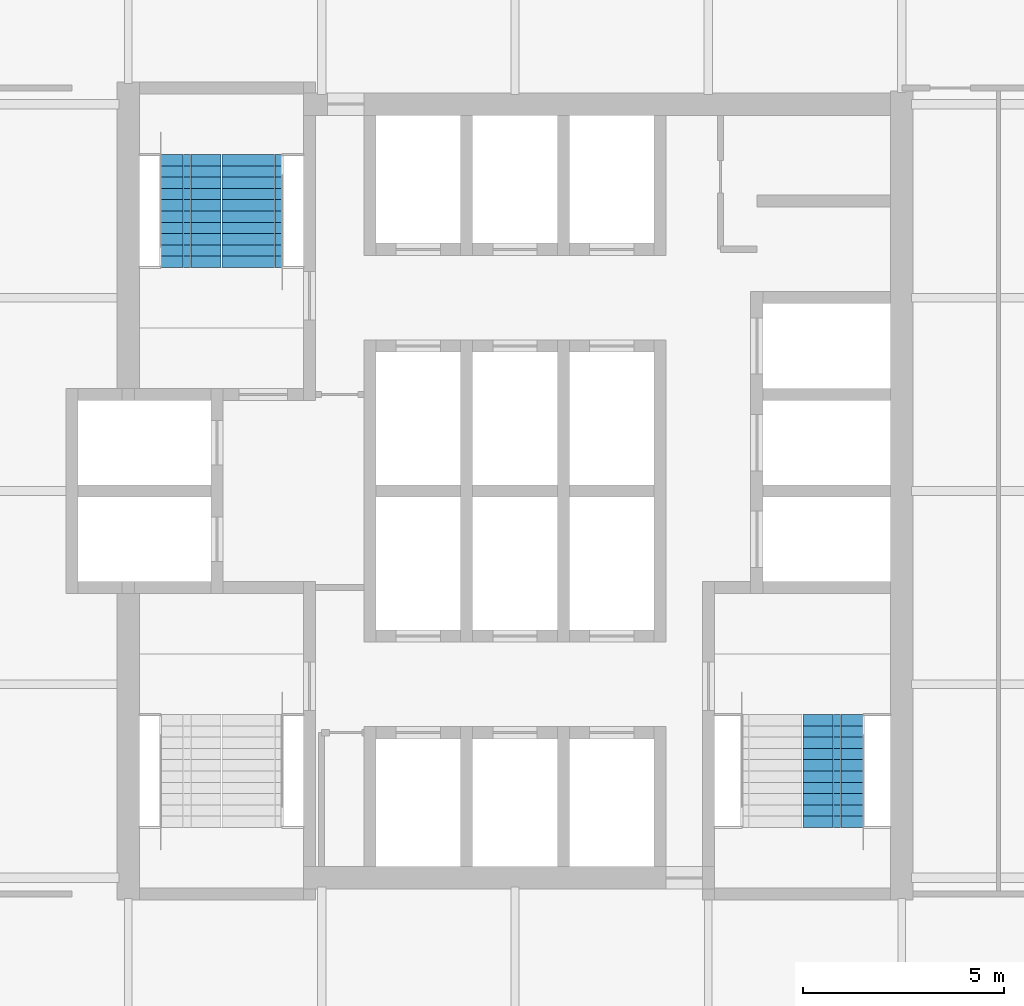
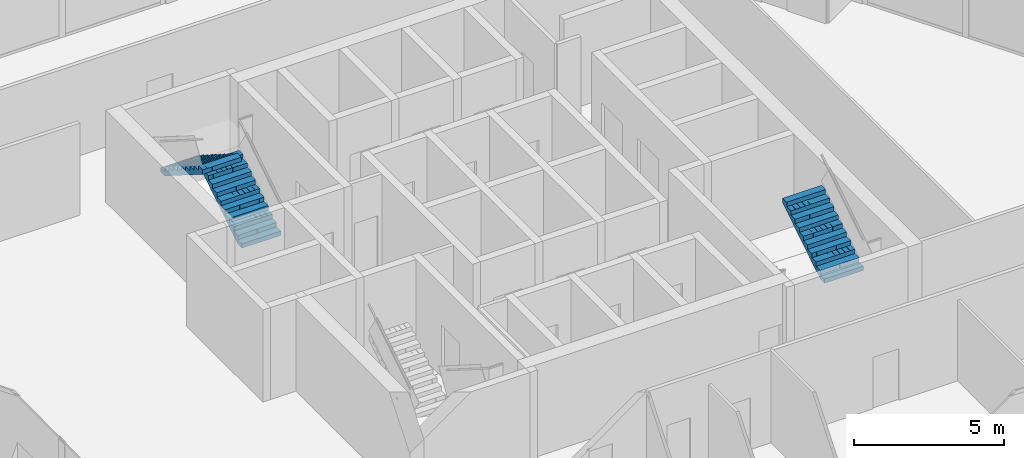
# One storey, part 11 of 13: 3 stair flights, 2 elements without a shape of their own.
"""IFC4 building model written with IfcOpenShell, lengths in metres."""

import ifcopenshell
import ifcopenshell.guid

model = None  # the IFC model being written
_history = None  # IfcOwnerHistory: only IFC2X3 demands one
_inside = {}  # id of a spatial element -> (the spatial element, [elements in it])
_under = {}  # id of a project, library or spatial element -> (it, [spatial elements below it])
_declared = {}  # id of a project -> (the project, [libraries it declares])
_typed = {}  # id of a type object -> (the type object, [elements of that type])
_made_of = {}  # id of a material, layer set ... -> (it, [elements and type objects made of it])


def new_model(schema):
    """Start an empty IFC model of exactly this schema.

    Asked for "IFC4X3", IfcOpenShell would pick the latest addendum, in which some entities
    have other attributes; the version numbers below select the first issue.
    IFC2X3 requires an IfcOwnerHistory on every rooted entity: one is made here for all.
    """
    global model, _history
    if schema == "IFC4X3":
        model = ifcopenshell.file(schema_version=(4, 3, 0, 0))
    else:
        model = ifcopenshell.file(schema=schema)
    _inside.clear()
    _under.clear()
    _declared.clear()
    _typed.clear()
    _made_of.clear()
    _history = None
    if model.schema == "IFC2X3":
        org = make("IfcOrganization", Name="unknown")
        user = make(
            "IfcPersonAndOrganization",
            ThePerson=make("IfcPerson", FamilyName="unknown"),
            TheOrganization=org,
        )
        app = make(
            "IfcApplication",
            ApplicationDeveloper=org,
            Version="unknown",
            ApplicationFullName="unknown",
            ApplicationIdentifier="unknown",
        )
        _history = make(
            "IfcOwnerHistory",
            OwningUser=user,
            OwningApplication=app,
            ChangeAction="ADDED",
            CreationDate=0,
        )
    return model


def make(cls, **values):
    """One entity of the class cls with the attributes given. An attribute that is None is left unset."""
    return model.create_entity(
        cls, **{name: value for name, value in values.items() if value is not None}
    )


def rooted(cls, **values):
    """An entity with a GlobalId (a new one), such as an element, a storey or a relation."""
    return make(cls, GlobalId=ifcopenshell.guid.new(), OwnerHistory=_history, **values)


def si_unit(unit_type, name, prefix=None):
    """IfcSIUnit, for example si_unit("LENGTHUNIT", "METRE", prefix="MILLI")."""
    return make("IfcSIUnit", UnitType=unit_type, Prefix=prefix, Name=name)


def assignment(units):
    """IfcUnitAssignment: the units of a project."""
    return None if units is None else make("IfcUnitAssignment", Units=units)


def point(xyz):
    """IfcCartesianPoint."""
    return None if xyz is None else make("IfcCartesianPoint", Coordinates=xyz)


def direction(xyz):
    """IfcDirection."""
    return None if xyz is None else make("IfcDirection", DirectionRatios=xyz)


def frame(location, z_axis=None, x_axis=None):
    """IfcAxis2Placement3D, a coordinate frame: its origin and axes. An axis left out is left unset."""
    return make(
        "IfcAxis2Placement3D",
        Location=point(location),
        Axis=direction(z_axis),
        RefDirection=direction(x_axis),
    )


def origin():
    """The frame at (0, 0, 0) with its axes left unset."""
    return frame((0.0, 0.0, 0.0))


def place(relative_to, where):
    """IfcLocalPlacement: puts the frame where relative to a parent placement (None: the world)."""
    return make(
        "IfcLocalPlacement", PlacementRelTo=relative_to, RelativePlacement=where
    )


def context(
    kind, dimensions, precision=None, world=None, true_north=None, identifier=None
):
    """IfcGeometricRepresentationContext, for example the 3D "Model" context."""
    return make(
        "IfcGeometricRepresentationContext",
        ContextIdentifier=identifier,
        ContextType=kind,
        CoordinateSpaceDimension=dimensions,
        Precision=precision,
        WorldCoordinateSystem=world,
        TrueNorth=true_north,
    )


def subcontext(parent, identifier, kind, view, scale=None):
    """IfcGeometricRepresentationSubContext, for example "Body" below "Model"."""
    return make(
        "IfcGeometricRepresentationSubContext",
        ContextIdentifier=identifier,
        ContextType=kind,
        ParentContext=parent,
        TargetScale=scale,
        TargetView=view,
    )


def project(units=None, contexts=None):
    """IfcProject with its units and contexts."""
    return rooted(
        "IfcProject",
        Name="project",
        RepresentationContexts=contexts,
        UnitsInContext=assignment(units),
    )


def spatial(cls, under=None, at=None, **own):
    """A site, building, storey or space (cls), placed at a placement, below another one or the project."""
    s = rooted(cls, ObjectPlacement=at, **own)
    if under is not None:
        _under.setdefault(under.id(), (under, []))[1].append(s)
    return s


def polyline(points):
    """IfcPolyline through the points."""
    return make("IfcPolyline", Points=[point(p) for p in points])


def outline(outer, holes=None, kind="AREA"):
    """IfcArbitraryClosedProfileDef: a profile drawn as a closed curve; with holes, ...WithVoids."""
    if holes is None:
        return make("IfcArbitraryClosedProfileDef", ProfileType=kind, OuterCurve=outer)
    return make(
        "IfcArbitraryProfileDefWithVoids",
        ProfileType=kind,
        OuterCurve=outer,
        InnerCurves=holes,
    )


def extrude(swept, where, along, depth):
    """IfcExtrudedAreaSolid: the profile swept, set in the frame where, extruded along a direction by depth."""
    return make(
        "IfcExtrudedAreaSolid",
        SweptArea=swept,
        Position=where,
        ExtrudedDirection=direction(along),
        Depth=depth,
    )


def shape(context_of_items, identifier, shape_type, items):
    """IfcShapeRepresentation: the items that make up one representation, for example the "Body"."""
    return make(
        "IfcShapeRepresentation",
        ContextOfItems=context_of_items,
        RepresentationIdentifier=identifier,
        RepresentationType=shape_type,
        Items=items,
    )


def material(Name=None, Category=None):
    """IfcMaterial."""
    return make("IfcMaterial", Name=Name, Category=Category)


def made_of(thing, what):
    """Note that an element or type object is made of a material, layer set ...; save() writes the relation."""
    if what is not None:
        _made_of.setdefault(what.id(), (what, []))[1].append(thing)
    return thing


def type_object(cls, material=None, **own):
    """A type object (cls), such as IfcWallType, which elements share."""
    return made_of(rooted(cls, **own), material)


def element(
    cls,
    number,
    at=None,
    inside=None,
    cuts=None,
    type_object=None,
    material=None,
    context=None,
    identifier="Body",
    shape_type=None,
    held_by="IfcProductDefinitionShape",
    body=None,
    shapes=None,
    **own,
):
    """One element of the class cls, such as IfcWall. Its Tag is "e" and its number.

    at: its placement. inside: the storey or other place that contains it. cuts: it is an
    opening in that element (IfcRelVoidsElement). A single representation is given by context,
    identifier, shape_type and body (its items); several are given by shapes. held_by: the class
    of the entity that holds the representations. save() writes the other relations.
    """
    e = rooted(cls, Tag="e%d" % number, ObjectPlacement=at, **own)
    if body is not None:
        shapes = [shape(context, identifier, shape_type, body)]
    if shapes is not None:
        e.Representation = make(held_by, Representations=shapes)
    if inside is not None:
        _inside.setdefault(inside.id(), (inside, []))[1].append(e)
    if cuts is not None:
        rooted(
            "IfcRelVoidsElement", RelatingBuildingElement=cuts, RelatedOpeningElement=e
        )
    if type_object is not None:
        _typed.setdefault(type_object.id(), (type_object, []))[1].append(e)
    return made_of(e, material)


def aggregate(whole, parts):
    """IfcRelAggregates: a whole, such as a stair, and the parts it consists of."""
    return rooted("IfcRelAggregates", RelatingObject=whole, RelatedObjects=parts)


def save(model, path):
    """Write the relations noted so far, then the file.

    IfcRelAggregates (storeys below a building ...), IfcRelContainedInSpatialStructure (elements
    in a storey), IfcRelDefinesByType, IfcRelAssociatesMaterial and IfcRelDeclares: one each for
    every whole, place, type object, material and project.
    """
    for whole, parts in _under.values():
        aggregate(whole, parts)
    for where, things in _inside.values():
        rooted(
            "IfcRelContainedInSpatialStructure",
            RelatedElements=things,
            RelatingStructure=where,
        )
    for kind, things in _typed.values():
        rooted("IfcRelDefinesByType", RelatedObjects=things, RelatingType=kind)
    for what, things in _made_of.values():
        rooted("IfcRelAssociatesMaterial", RelatedObjects=things, RelatingMaterial=what)
    for by, libraries in _declared.values():
        rooted("IfcRelDeclares", RelatingContext=by, RelatedDefinitions=libraries)
    model.write(path)


model = new_model("IFC4")

# Units and contexts
model_context = context("Model", 3, precision=1e-05, world=origin(), true_north=direction((0.0, 1.0)))
body_context = subcontext(model_context, "Body", "Model", "MODEL_VIEW")
ifc_project = project(units=[si_unit("LENGTHUNIT", "METRE"), si_unit("AREAUNIT", "SQUARE_METRE"), si_unit("VOLUMEUNIT", "CUBIC_METRE"), si_unit("PLANEANGLEUNIT", "RADIAN"), si_unit("MASSUNIT", "GRAM", prefix="KILO")], contexts=[model_context])

# Site, building, storey
site_placement = place(None, origin())
site = spatial("IfcSite", under=ifc_project, at=site_placement, CompositionType="ELEMENT")
building_placement = place(site_placement, origin())
building = spatial("IfcBuilding", under=site, at=building_placement, Name="Kolab Exchange Tower", CompositionType="ELEMENT")
storey_placement = place(building_placement, frame((0.0, 0.0, 277.39990234375)))
storey = spatial("IfcBuildingStorey", under=building, at=storey_placement, Name="L62", CompositionType="ELEMENT", Elevation=277.39990234375)

# Stair, stair flights
ifc_material = material(Name="Concrete C50/60", Category="concrete")
stair_type_1 = type_object("IfcStairType", Name="STAIR ST1 RISER 177.3", PredefinedType="HALF_TURN_STAIR", material=ifc_material)
stair_1_placement = place(storey_placement, origin())
stair_1 = element("IfcStair", 1, at=stair_1_placement, inside=storey, type_object=stair_type_1, Name="Stair 1", PredefinedType="HALF_TURN_STAIR")
stair_flight_type = type_object("IfcStairFlightType", Name="STAIR FLIGHT 1500 RISER 177.3", PredefinedType="STRAIGHT", material=ifc_material)
stair_flight_1_placement = place(storey_placement, frame((-6.527587890625, 5.550048828125, 0.0), z_axis=(0.0, 0.0, 1.0), x_axis=(0.0, 1.0, 0.0)))
stair_flight_1 = element("IfcStairFlight", 2, at=stair_flight_1_placement, type_object=stair_flight_type, Name="ST1 flight 1", NumberOfRisers=11, NumberOfTreads=10, PredefinedType="STRAIGHT", RiserHeight=0.177272727, TreadLength=0.28, context=body_context, shape_type="SweptSolid", body=[
    extrude(outline(polyline([(0.0, 0.0), (0.0, 0.17724609375), (0.280029296875, 0.17724609375), (0.280029296875, 0.3544921875), (0.56005859375, 0.3544921875), (0.56005859375, 0.53173828125), (0.840087890625, 0.53173828125), (0.840087890625, 0.708984375), (1.1201171875, 0.708984375), (1.1201171875, 0.886474609375), (1.39990234375, 0.886474609375), (1.39990234375, 1.063720703125), (1.679931640625, 1.063720703125), (1.679931640625, 1.240966796875), (1.9599609375, 1.240966796875), (1.9599609375, 1.418212890625), (2.239990234375, 1.418212890625), (2.239990234375, 1.595458984375), (2.52001953125, 1.595458984375), (2.52001953125, 1.772705078125), (2.800048828125, 1.772705078125), (2.800048828125, 1.949951171875), (2.800048828125, 1.59521484375), (0.2802734375, 0.0), (0.0, 0.0)])), frame((0.0, 0.75, 0.0), z_axis=(0.0, -1.0, 0.0), x_axis=(1.0, 0.0, 0.0)), (0.0, 0.0, 1.0), 0.185791015625),
    extrude(outline(polyline([(0.0, 0.0), (0.0, 0.17724609375), (0.280029296875, 0.17724609375), (0.280029296875, 0.3544921875), (0.56005859375, 0.3544921875), (0.56005859375, 0.53173828125), (0.840087890625, 0.53173828125), (0.840087890625, 0.708984375), (1.1201171875, 0.708984375), (1.1201171875, 0.886474609375), (1.39990234375, 0.886474609375), (1.39990234375, 1.063720703125), (1.679931640625, 1.063720703125), (1.679931640625, 1.240966796875), (1.9599609375, 1.240966796875), (1.9599609375, 1.418212890625), (2.239990234375, 1.418212890625), (2.239990234375, 1.595458984375), (2.52001953125, 1.595458984375), (2.52001953125, 1.772705078125), (2.800048828125, 1.772705078125), (2.800048828125, 1.949951171875), (2.800048828125, 1.59521484375), (0.2802734375, 0.0), (0.0, 0.0)])), frame((0.0, 0.562255859375, 0.0), z_axis=(0.0, -1.0, 0.0), x_axis=(1.0, 0.0, 0.0)), (0.0, 0.0, 1.0), 0.185791015625),
    extrude(outline(polyline([(0.0, 0.0), (0.0, 0.17724609375), (0.280029296875, 0.17724609375), (0.280029296875, 0.3544921875), (0.56005859375, 0.3544921875), (0.56005859375, 0.53173828125), (0.840087890625, 0.53173828125), (0.840087890625, 0.708984375), (1.1201171875, 0.708984375), (1.1201171875, 0.886474609375), (1.39990234375, 0.886474609375), (1.39990234375, 1.063720703125), (1.679931640625, 1.063720703125), (1.679931640625, 1.240966796875), (1.9599609375, 1.240966796875), (1.9599609375, 1.418212890625), (2.239990234375, 1.418212890625), (2.239990234375, 1.595458984375), (2.52001953125, 1.595458984375), (2.52001953125, 1.772705078125), (2.800048828125, 1.772705078125), (2.800048828125, 1.949951171875), (2.800048828125, 1.59521484375), (0.2802734375, 0.0), (0.0, 0.0)])), frame((0.0, 0.37451171875, 0.0), z_axis=(0.0, -1.0, 0.0), x_axis=(1.0, 0.0, 0.0)), (0.0, 0.0, 1.0), 0.185791015625),
    extrude(outline(polyline([(0.0, 0.0), (0.0, 0.17724609375), (0.280029296875, 0.17724609375), (0.280029296875, 0.3544921875), (0.56005859375, 0.3544921875), (0.56005859375, 0.53173828125), (0.840087890625, 0.53173828125), (0.840087890625, 0.708984375), (1.1201171875, 0.708984375), (1.1201171875, 0.886474609375), (1.39990234375, 0.886474609375), (1.39990234375, 1.063720703125), (1.679931640625, 1.063720703125), (1.679931640625, 1.240966796875), (1.9599609375, 1.240966796875), (1.9599609375, 1.418212890625), (2.239990234375, 1.418212890625), (2.239990234375, 1.595458984375), (2.52001953125, 1.595458984375), (2.52001953125, 1.772705078125), (2.800048828125, 1.772705078125), (2.800048828125, 1.949951171875), (2.800048828125, 1.59521484375), (0.2802734375, 0.0), (0.0, 0.0)])), frame((0.0, 0.186767578125, 0.0), z_axis=(0.0, -1.0, 0.0), x_axis=(1.0, 0.0, 0.0)), (0.0, 0.0, 1.0), 0.185791015625),
    extrude(outline(polyline([(0.0, 0.0), (0.0, 0.17724609375), (0.280029296875, 0.17724609375), (0.280029296875, 0.3544921875), (0.56005859375, 0.3544921875), (0.56005859375, 0.53173828125), (0.840087890625, 0.53173828125), (0.840087890625, 0.708984375), (1.1201171875, 0.708984375), (1.1201171875, 0.886474609375), (1.39990234375, 0.886474609375), (1.39990234375, 1.063720703125), (1.679931640625, 1.063720703125), (1.679931640625, 1.240966796875), (1.9599609375, 1.240966796875), (1.9599609375, 1.418212890625), (2.239990234375, 1.418212890625), (2.239990234375, 1.595458984375), (2.52001953125, 1.595458984375), (2.52001953125, 1.772705078125), (2.800048828125, 1.772705078125), (2.800048828125, 1.949951171875), (2.800048828125, 1.59521484375), (0.2802734375, 0.0), (0.0, 0.0)])), frame((0.0, -0.0009765625, 0.0), z_axis=(0.0, -1.0, 0.0), x_axis=(1.0, 0.0, 0.0)), (0.0, 0.0, 1.0), 0.185791015625),
    extrude(outline(polyline([(0.0, 0.0), (0.0, 0.17724609375), (0.280029296875, 0.17724609375), (0.280029296875, 0.3544921875), (0.56005859375, 0.3544921875), (0.56005859375, 0.53173828125), (0.840087890625, 0.53173828125), (0.840087890625, 0.708984375), (1.1201171875, 0.708984375), (1.1201171875, 0.886474609375), (1.39990234375, 0.886474609375), (1.39990234375, 1.063720703125), (1.679931640625, 1.063720703125), (1.679931640625, 1.240966796875), (1.9599609375, 1.240966796875), (1.9599609375, 1.418212890625), (2.239990234375, 1.418212890625), (2.239990234375, 1.595458984375), (2.52001953125, 1.595458984375), (2.52001953125, 1.772705078125), (2.800048828125, 1.772705078125), (2.800048828125, 1.949951171875), (2.800048828125, 1.59521484375), (0.2802734375, 0.0), (0.0, 0.0)])), frame((0.0, -0.188720703125, 0.0), z_axis=(0.0, -1.0, 0.0), x_axis=(1.0, 0.0, 0.0)), (0.0, 0.0, 1.0), 0.185791015625),
    extrude(outline(polyline([(0.0, 0.0), (0.0, 0.17724609375), (0.280029296875, 0.17724609375), (0.280029296875, 0.3544921875), (0.56005859375, 0.3544921875), (0.56005859375, 0.53173828125), (0.840087890625, 0.53173828125), (0.840087890625, 0.708984375), (1.1201171875, 0.708984375), (1.1201171875, 0.886474609375), (1.39990234375, 0.886474609375), (1.39990234375, 1.063720703125), (1.679931640625, 1.063720703125), (1.679931640625, 1.240966796875), (1.9599609375, 1.240966796875), (1.9599609375, 1.418212890625), (2.239990234375, 1.418212890625), (2.239990234375, 1.595458984375), (2.52001953125, 1.595458984375), (2.52001953125, 1.772705078125), (2.800048828125, 1.772705078125), (2.800048828125, 1.949951171875), (2.800048828125, 1.59521484375), (0.2802734375, 0.0), (0.0, 0.0)])), frame((0.0, -0.37646484375, 0.0), z_axis=(0.0, -1.0, 0.0), x_axis=(1.0, 0.0, 0.0)), (0.0, 0.0, 1.0), 0.185791015625),
    extrude(outline(polyline([(0.0, 0.0), (0.0, 0.17724609375), (0.280029296875, 0.17724609375), (0.280029296875, 0.3544921875), (0.56005859375, 0.3544921875), (0.56005859375, 0.53173828125), (0.840087890625, 0.53173828125), (0.840087890625, 0.708984375), (1.1201171875, 0.708984375), (1.1201171875, 0.886474609375), (1.39990234375, 0.886474609375), (1.39990234375, 1.063720703125), (1.679931640625, 1.063720703125), (1.679931640625, 1.240966796875), (1.9599609375, 1.240966796875), (1.9599609375, 1.418212890625), (2.239990234375, 1.418212890625), (2.239990234375, 1.595458984375), (2.52001953125, 1.595458984375), (2.52001953125, 1.772705078125), (2.800048828125, 1.772705078125), (2.800048828125, 1.949951171875), (2.800048828125, 1.59521484375), (0.2802734375, 0.0), (0.0, 0.0)])), frame((0.0, -0.564208984375, 0.0), z_axis=(0.0, -1.0, 0.0), x_axis=(1.0, 0.0, 0.0)), (0.0, 0.0, 1.0), 0.185791015625),
])
stair_flight_2_placement = place(storey_placement, frame((-8.047607421875, 8.35009765625, 1.9501953125), z_axis=(0.0, 0.0, 1.0), x_axis=(0.0, -1.0, 0.0)))
stair_flight_2 = element("IfcStairFlight", 3, at=stair_flight_2_placement, type_object=stair_flight_type, Name="ST1 flight 2", NumberOfRisers=11, NumberOfTreads=10, PredefinedType="STRAIGHT", RiserHeight=0.177272727, TreadLength=0.28, context=body_context, shape_type="SweptSolid", body=[
    extrude(outline(polyline([(0.0, 0.0), (0.0, 0.17724609375), (0.280029296875, 0.17724609375), (0.280029296875, 0.3544921875), (0.56005859375, 0.3544921875), (0.56005859375, 0.53173828125), (0.840087890625, 0.53173828125), (0.840087890625, 0.708984375), (1.1201171875, 0.708984375), (1.1201171875, 0.886474609375), (1.39990234375, 0.886474609375), (1.39990234375, 1.063720703125), (1.679931640625, 1.063720703125), (1.679931640625, 1.240966796875), (1.9599609375, 1.240966796875), (1.9599609375, 1.418212890625), (2.239990234375, 1.418212890625), (2.239990234375, 1.595458984375), (2.52001953125, 1.595458984375), (2.52001953125, 1.772705078125), (2.800048828125, 1.772705078125), (2.800048828125, 1.949951171875), (2.800048828125, 1.59521484375), (0.2802734375, 0.0), (0.0, 0.0)])), frame((0.0, 0.75, 0.0), z_axis=(0.0, -1.0, 0.0), x_axis=(1.0, 0.0, 0.0)), (0.0, 0.0, 1.0), 0.185791015625),
    extrude(outline(polyline([(0.0, 0.0), (0.0, 0.17724609375), (0.280029296875, 0.17724609375), (0.280029296875, 0.3544921875), (0.56005859375, 0.3544921875), (0.56005859375, 0.53173828125), (0.840087890625, 0.53173828125), (0.840087890625, 0.708984375), (1.1201171875, 0.708984375), (1.1201171875, 0.886474609375), (1.39990234375, 0.886474609375), (1.39990234375, 1.063720703125), (1.679931640625, 1.063720703125), (1.679931640625, 1.240966796875), (1.9599609375, 1.240966796875), (1.9599609375, 1.418212890625), (2.239990234375, 1.418212890625), (2.239990234375, 1.595458984375), (2.52001953125, 1.595458984375), (2.52001953125, 1.772705078125), (2.800048828125, 1.772705078125), (2.800048828125, 1.949951171875), (2.800048828125, 1.59521484375), (0.2802734375, 0.0), (0.0, 0.0)])), frame((0.0, 0.562255859375, 0.0), z_axis=(0.0, -1.0, 0.0), x_axis=(1.0, 0.0, 0.0)), (0.0, 0.0, 1.0), 0.185791015625),
    extrude(outline(polyline([(0.0, 0.0), (0.0, 0.17724609375), (0.280029296875, 0.17724609375), (0.280029296875, 0.3544921875), (0.56005859375, 0.3544921875), (0.56005859375, 0.53173828125), (0.840087890625, 0.53173828125), (0.840087890625, 0.708984375), (1.1201171875, 0.708984375), (1.1201171875, 0.886474609375), (1.39990234375, 0.886474609375), (1.39990234375, 1.063720703125), (1.679931640625, 1.063720703125), (1.679931640625, 1.240966796875), (1.9599609375, 1.240966796875), (1.9599609375, 1.418212890625), (2.239990234375, 1.418212890625), (2.239990234375, 1.595458984375), (2.52001953125, 1.595458984375), (2.52001953125, 1.772705078125), (2.800048828125, 1.772705078125), (2.800048828125, 1.949951171875), (2.800048828125, 1.59521484375), (0.2802734375, 0.0), (0.0, 0.0)])), frame((0.0, 0.37451171875, 0.0), z_axis=(0.0, -1.0, 0.0), x_axis=(1.0, 0.0, 0.0)), (0.0, 0.0, 1.0), 0.185791015625),
    extrude(outline(polyline([(0.0, 0.0), (0.0, 0.17724609375), (0.280029296875, 0.17724609375), (0.280029296875, 0.3544921875), (0.56005859375, 0.3544921875), (0.56005859375, 0.53173828125), (0.840087890625, 0.53173828125), (0.840087890625, 0.708984375), (1.1201171875, 0.708984375), (1.1201171875, 0.886474609375), (1.39990234375, 0.886474609375), (1.39990234375, 1.063720703125), (1.679931640625, 1.063720703125), (1.679931640625, 1.240966796875), (1.9599609375, 1.240966796875), (1.9599609375, 1.418212890625), (2.239990234375, 1.418212890625), (2.239990234375, 1.595458984375), (2.52001953125, 1.595458984375), (2.52001953125, 1.772705078125), (2.800048828125, 1.772705078125), (2.800048828125, 1.949951171875), (2.800048828125, 1.59521484375), (0.2802734375, 0.0), (0.0, 0.0)])), frame((0.0, 0.186767578125, 0.0), z_axis=(0.0, -1.0, 0.0), x_axis=(1.0, 0.0, 0.0)), (0.0, 0.0, 1.0), 0.185791015625),
    extrude(outline(polyline([(0.0, 0.0), (0.0, 0.17724609375), (0.280029296875, 0.17724609375), (0.280029296875, 0.3544921875), (0.56005859375, 0.3544921875), (0.56005859375, 0.53173828125), (0.840087890625, 0.53173828125), (0.840087890625, 0.708984375), (1.1201171875, 0.708984375), (1.1201171875, 0.886474609375), (1.39990234375, 0.886474609375), (1.39990234375, 1.063720703125), (1.679931640625, 1.063720703125), (1.679931640625, 1.240966796875), (1.9599609375, 1.240966796875), (1.9599609375, 1.418212890625), (2.239990234375, 1.418212890625), (2.239990234375, 1.595458984375), (2.52001953125, 1.595458984375), (2.52001953125, 1.772705078125), (2.800048828125, 1.772705078125), (2.800048828125, 1.949951171875), (2.800048828125, 1.59521484375), (0.2802734375, 0.0), (0.0, 0.0)])), frame((0.0, -0.0009765625, 0.0), z_axis=(0.0, -1.0, 0.0), x_axis=(1.0, 0.0, 0.0)), (0.0, 0.0, 1.0), 0.185791015625),
    extrude(outline(polyline([(0.0, 0.0), (0.0, 0.17724609375), (0.280029296875, 0.17724609375), (0.280029296875, 0.3544921875), (0.56005859375, 0.3544921875), (0.56005859375, 0.53173828125), (0.840087890625, 0.53173828125), (0.840087890625, 0.708984375), (1.1201171875, 0.708984375), (1.1201171875, 0.886474609375), (1.39990234375, 0.886474609375), (1.39990234375, 1.063720703125), (1.679931640625, 1.063720703125), (1.679931640625, 1.240966796875), (1.9599609375, 1.240966796875), (1.9599609375, 1.418212890625), (2.239990234375, 1.418212890625), (2.239990234375, 1.595458984375), (2.52001953125, 1.595458984375), (2.52001953125, 1.772705078125), (2.800048828125, 1.772705078125), (2.800048828125, 1.949951171875), (2.800048828125, 1.59521484375), (0.2802734375, 0.0), (0.0, 0.0)])), frame((0.0, -0.188720703125, 0.0), z_axis=(0.0, -1.0, 0.0), x_axis=(1.0, 0.0, 0.0)), (0.0, 0.0, 1.0), 0.185791015625),
    extrude(outline(polyline([(0.0, 0.0), (0.0, 0.17724609375), (0.280029296875, 0.17724609375), (0.280029296875, 0.3544921875), (0.56005859375, 0.3544921875), (0.56005859375, 0.53173828125), (0.840087890625, 0.53173828125), (0.840087890625, 0.708984375), (1.1201171875, 0.708984375), (1.1201171875, 0.886474609375), (1.39990234375, 0.886474609375), (1.39990234375, 1.063720703125), (1.679931640625, 1.063720703125), (1.679931640625, 1.240966796875), (1.9599609375, 1.240966796875), (1.9599609375, 1.418212890625), (2.239990234375, 1.418212890625), (2.239990234375, 1.595458984375), (2.52001953125, 1.595458984375), (2.52001953125, 1.772705078125), (2.800048828125, 1.772705078125), (2.800048828125, 1.949951171875), (2.800048828125, 1.59521484375), (0.2802734375, 0.0), (0.0, 0.0)])), frame((0.0, -0.37646484375, 0.0), z_axis=(0.0, -1.0, 0.0), x_axis=(1.0, 0.0, 0.0)), (0.0, 0.0, 1.0), 0.185791015625),
    extrude(outline(polyline([(0.0, 0.0), (0.0, 0.17724609375), (0.280029296875, 0.17724609375), (0.280029296875, 0.3544921875), (0.56005859375, 0.3544921875), (0.56005859375, 0.53173828125), (0.840087890625, 0.53173828125), (0.840087890625, 0.708984375), (1.1201171875, 0.708984375), (1.1201171875, 0.886474609375), (1.39990234375, 0.886474609375), (1.39990234375, 1.063720703125), (1.679931640625, 1.063720703125), (1.679931640625, 1.240966796875), (1.9599609375, 1.240966796875), (1.9599609375, 1.418212890625), (2.239990234375, 1.418212890625), (2.239990234375, 1.595458984375), (2.52001953125, 1.595458984375), (2.52001953125, 1.772705078125), (2.800048828125, 1.772705078125), (2.800048828125, 1.949951171875), (2.800048828125, 1.59521484375), (0.2802734375, 0.0), (0.0, 0.0)])), frame((0.0, -0.564208984375, 0.0), z_axis=(0.0, -1.0, 0.0), x_axis=(1.0, 0.0, 0.0)), (0.0, 0.0, 1.0), 0.185791015625),
])
aggregate(stair_1, [stair_flight_1, stair_flight_2])

# Stair, stair flight
stair_type_2 = type_object("IfcStairType", Name="STAIR ST2 RISER 177.3", PredefinedType="HALF_TURN_STAIR", material=ifc_material)
stair_2_placement = place(storey_placement, origin())
stair_2 = element("IfcStair", 4, at=stair_2_placement, inside=storey, type_object=stair_type_2, Name="Stair 2", PredefinedType="HALF_TURN_STAIR")
stair_flight_3_placement = place(storey_placement, frame((7.8974609375, -8.35009765625, 1.9501953125), z_axis=(0.0, 0.0, 1.0), x_axis=(0.0, 1.0, 0.0)))
stair_flight_3 = element("IfcStairFlight", 5, at=stair_flight_3_placement, type_object=stair_flight_type, Name="ST2 flight 2", NumberOfRisers=11, NumberOfTreads=10, PredefinedType="STRAIGHT", RiserHeight=0.177272727, TreadLength=0.28, context=body_context, shape_type="SweptSolid", body=[
    extrude(outline(polyline([(0.0, 0.0), (0.0, 0.17724609375), (0.280029296875, 0.17724609375), (0.280029296875, 0.3544921875), (0.56005859375, 0.3544921875), (0.56005859375, 0.53173828125), (0.840087890625, 0.53173828125), (0.840087890625, 0.708984375), (1.1201171875, 0.708984375), (1.1201171875, 0.886474609375), (1.39990234375, 0.886474609375), (1.39990234375, 1.063720703125), (1.679931640625, 1.063720703125), (1.679931640625, 1.240966796875), (1.9599609375, 1.240966796875), (1.9599609375, 1.418212890625), (2.239990234375, 1.418212890625), (2.239990234375, 1.595458984375), (2.52001953125, 1.595458984375), (2.52001953125, 1.772705078125), (2.800048828125, 1.772705078125), (2.800048828125, 1.949951171875), (2.800048828125, 1.59521484375), (0.2802734375, 0.0), (0.0, 0.0)])), frame((0.0, 0.75, 0.0), z_axis=(0.0, -1.0, 0.0), x_axis=(1.0, 0.0, 0.0)), (0.0, 0.0, 1.0), 0.185791015625),
    extrude(outline(polyline([(0.0, 0.0), (0.0, 0.17724609375), (0.280029296875, 0.17724609375), (0.280029296875, 0.3544921875), (0.56005859375, 0.3544921875), (0.56005859375, 0.53173828125), (0.840087890625, 0.53173828125), (0.840087890625, 0.708984375), (1.1201171875, 0.708984375), (1.1201171875, 0.886474609375), (1.39990234375, 0.886474609375), (1.39990234375, 1.063720703125), (1.679931640625, 1.063720703125), (1.679931640625, 1.240966796875), (1.9599609375, 1.240966796875), (1.9599609375, 1.418212890625), (2.239990234375, 1.418212890625), (2.239990234375, 1.595458984375), (2.52001953125, 1.595458984375), (2.52001953125, 1.772705078125), (2.800048828125, 1.772705078125), (2.800048828125, 1.949951171875), (2.800048828125, 1.59521484375), (0.2802734375, 0.0), (0.0, 0.0)])), frame((0.0, 0.562255859375, 0.0), z_axis=(0.0, -1.0, 0.0), x_axis=(1.0, 0.0, 0.0)), (0.0, 0.0, 1.0), 0.185791015625),
    extrude(outline(polyline([(0.0, 0.0), (0.0, 0.17724609375), (0.280029296875, 0.17724609375), (0.280029296875, 0.3544921875), (0.56005859375, 0.3544921875), (0.56005859375, 0.53173828125), (0.840087890625, 0.53173828125), (0.840087890625, 0.708984375), (1.1201171875, 0.708984375), (1.1201171875, 0.886474609375), (1.39990234375, 0.886474609375), (1.39990234375, 1.063720703125), (1.679931640625, 1.063720703125), (1.679931640625, 1.240966796875), (1.9599609375, 1.240966796875), (1.9599609375, 1.418212890625), (2.239990234375, 1.418212890625), (2.239990234375, 1.595458984375), (2.52001953125, 1.595458984375), (2.52001953125, 1.772705078125), (2.800048828125, 1.772705078125), (2.800048828125, 1.949951171875), (2.800048828125, 1.59521484375), (0.2802734375, 0.0), (0.0, 0.0)])), frame((0.0, 0.37451171875, 0.0), z_axis=(0.0, -1.0, 0.0), x_axis=(1.0, 0.0, 0.0)), (0.0, 0.0, 1.0), 0.185791015625),
    extrude(outline(polyline([(0.0, 0.0), (0.0, 0.17724609375), (0.280029296875, 0.17724609375), (0.280029296875, 0.3544921875), (0.56005859375, 0.3544921875), (0.56005859375, 0.53173828125), (0.840087890625, 0.53173828125), (0.840087890625, 0.708984375), (1.1201171875, 0.708984375), (1.1201171875, 0.886474609375), (1.39990234375, 0.886474609375), (1.39990234375, 1.063720703125), (1.679931640625, 1.063720703125), (1.679931640625, 1.240966796875), (1.9599609375, 1.240966796875), (1.9599609375, 1.418212890625), (2.239990234375, 1.418212890625), (2.239990234375, 1.595458984375), (2.52001953125, 1.595458984375), (2.52001953125, 1.772705078125), (2.800048828125, 1.772705078125), (2.800048828125, 1.949951171875), (2.800048828125, 1.59521484375), (0.2802734375, 0.0), (0.0, 0.0)])), frame((0.0, 0.186767578125, 0.0), z_axis=(0.0, -1.0, 0.0), x_axis=(1.0, 0.0, 0.0)), (0.0, 0.0, 1.0), 0.185791015625),
    extrude(outline(polyline([(0.0, 0.0), (0.0, 0.17724609375), (0.280029296875, 0.17724609375), (0.280029296875, 0.3544921875), (0.56005859375, 0.3544921875), (0.56005859375, 0.53173828125), (0.840087890625, 0.53173828125), (0.840087890625, 0.708984375), (1.1201171875, 0.708984375), (1.1201171875, 0.886474609375), (1.39990234375, 0.886474609375), (1.39990234375, 1.063720703125), (1.679931640625, 1.063720703125), (1.679931640625, 1.240966796875), (1.9599609375, 1.240966796875), (1.9599609375, 1.418212890625), (2.239990234375, 1.418212890625), (2.239990234375, 1.595458984375), (2.52001953125, 1.595458984375), (2.52001953125, 1.772705078125), (2.800048828125, 1.772705078125), (2.800048828125, 1.949951171875), (2.800048828125, 1.59521484375), (0.2802734375, 0.0), (0.0, 0.0)])), frame((0.0, -0.0009765625, 0.0), z_axis=(0.0, -1.0, 0.0), x_axis=(1.0, 0.0, 0.0)), (0.0, 0.0, 1.0), 0.185791015625),
    extrude(outline(polyline([(0.0, 0.0), (0.0, 0.17724609375), (0.280029296875, 0.17724609375), (0.280029296875, 0.3544921875), (0.56005859375, 0.3544921875), (0.56005859375, 0.53173828125), (0.840087890625, 0.53173828125), (0.840087890625, 0.708984375), (1.1201171875, 0.708984375), (1.1201171875, 0.886474609375), (1.39990234375, 0.886474609375), (1.39990234375, 1.063720703125), (1.679931640625, 1.063720703125), (1.679931640625, 1.240966796875), (1.9599609375, 1.240966796875), (1.9599609375, 1.418212890625), (2.239990234375, 1.418212890625), (2.239990234375, 1.595458984375), (2.52001953125, 1.595458984375), (2.52001953125, 1.772705078125), (2.800048828125, 1.772705078125), (2.800048828125, 1.949951171875), (2.800048828125, 1.59521484375), (0.2802734375, 0.0), (0.0, 0.0)])), frame((0.0, -0.188720703125, 0.0), z_axis=(0.0, -1.0, 0.0), x_axis=(1.0, 0.0, 0.0)), (0.0, 0.0, 1.0), 0.185791015625),
    extrude(outline(polyline([(0.0, 0.0), (0.0, 0.17724609375), (0.280029296875, 0.17724609375), (0.280029296875, 0.3544921875), (0.56005859375, 0.3544921875), (0.56005859375, 0.53173828125), (0.840087890625, 0.53173828125), (0.840087890625, 0.708984375), (1.1201171875, 0.708984375), (1.1201171875, 0.886474609375), (1.39990234375, 0.886474609375), (1.39990234375, 1.063720703125), (1.679931640625, 1.063720703125), (1.679931640625, 1.240966796875), (1.9599609375, 1.240966796875), (1.9599609375, 1.418212890625), (2.239990234375, 1.418212890625), (2.239990234375, 1.595458984375), (2.52001953125, 1.595458984375), (2.52001953125, 1.772705078125), (2.800048828125, 1.772705078125), (2.800048828125, 1.949951171875), (2.800048828125, 1.59521484375), (0.2802734375, 0.0), (0.0, 0.0)])), frame((0.0, -0.37646484375, 0.0), z_axis=(0.0, -1.0, 0.0), x_axis=(1.0, 0.0, 0.0)), (0.0, 0.0, 1.0), 0.185791015625),
    extrude(outline(polyline([(0.0, 0.0), (0.0, 0.17724609375), (0.280029296875, 0.17724609375), (0.280029296875, 0.3544921875), (0.56005859375, 0.3544921875), (0.56005859375, 0.53173828125), (0.840087890625, 0.53173828125), (0.840087890625, 0.708984375), (1.1201171875, 0.708984375), (1.1201171875, 0.886474609375), (1.39990234375, 0.886474609375), (1.39990234375, 1.063720703125), (1.679931640625, 1.063720703125), (1.679931640625, 1.240966796875), (1.9599609375, 1.240966796875), (1.9599609375, 1.418212890625), (2.239990234375, 1.418212890625), (2.239990234375, 1.595458984375), (2.52001953125, 1.595458984375), (2.52001953125, 1.772705078125), (2.800048828125, 1.772705078125), (2.800048828125, 1.949951171875), (2.800048828125, 1.59521484375), (0.2802734375, 0.0), (0.0, 0.0)])), frame((0.0, -0.564208984375, 0.0), z_axis=(0.0, -1.0, 0.0), x_axis=(1.0, 0.0, 0.0)), (0.0, 0.0, 1.0), 0.185791015625),
])
aggregate(stair_2, [stair_flight_3])

save(model, "model.ifc")
